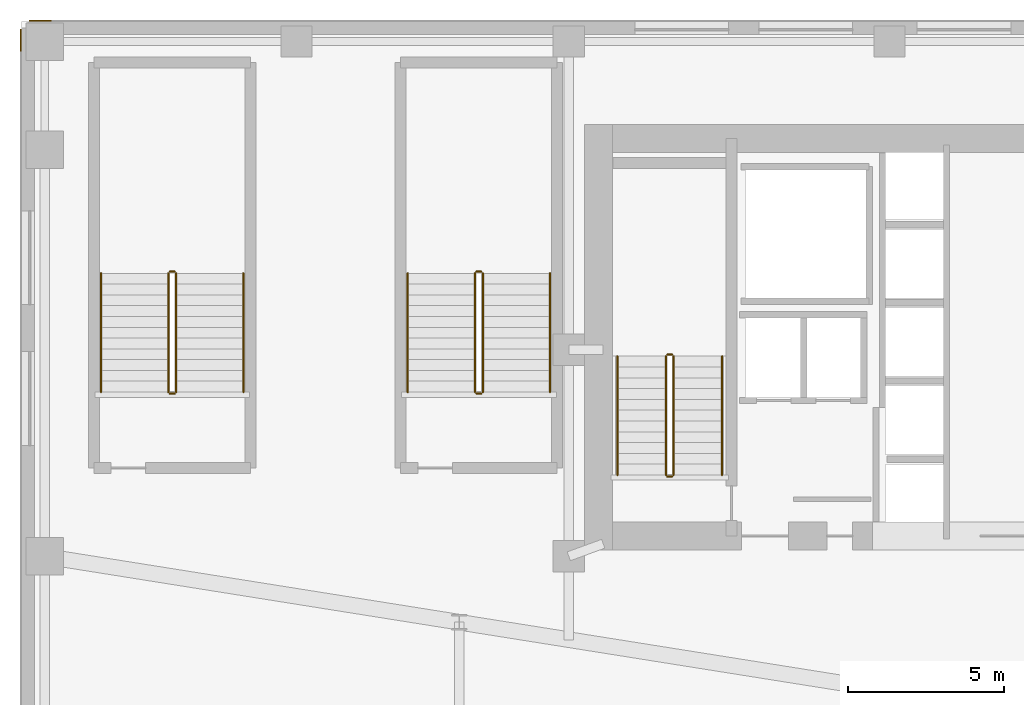
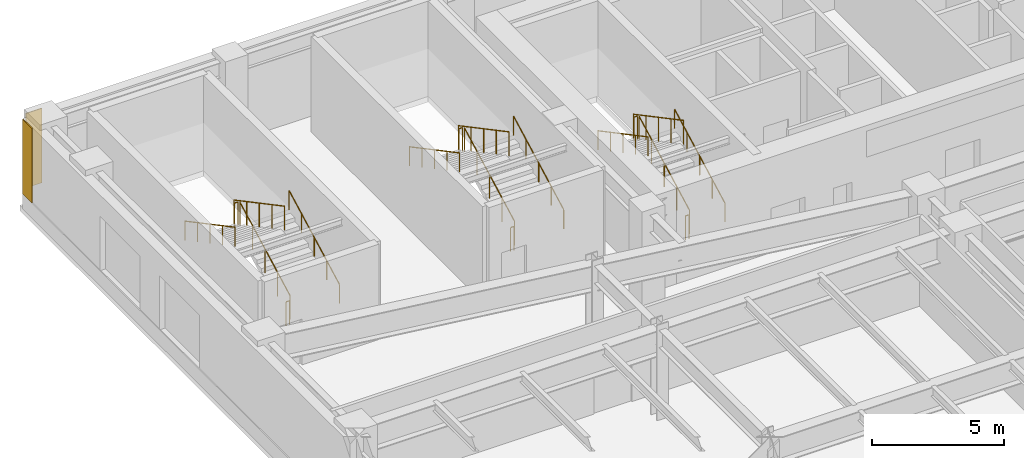
# One storey, part 24 of 27: 18 railings, 2 coverings.
"""IFC4 building model written with IfcOpenShell, lengths in metres."""

from ifc_helpers import new_model, si_unit, direction, frame, origin, origin_2d, place, context, subcontext, project, spatial, polyline, circle, outline, extrude, material, layer, layer_set, type_object, element, save


model = new_model("IFC4")

# Units and contexts
model_context = context("Model", 3, precision=1e-05, world=origin(), true_north=direction((0.0, 1.0)))
body_context = subcontext(model_context, "Body", "Model", "MODEL_VIEW")
ifc_project = project(units=[si_unit("LENGTHUNIT", "METRE"), si_unit("AREAUNIT", "SQUARE_METRE"), si_unit("VOLUMEUNIT", "CUBIC_METRE"), si_unit("PLANEANGLEUNIT", "RADIAN"), si_unit("MASSUNIT", "GRAM", prefix="KILO")], contexts=[model_context])

# Site, building, storey
site_placement = place(None, origin())
site = spatial("IfcSite", under=ifc_project, at=site_placement, CompositionType="ELEMENT")
building_placement = place(site_placement, origin())
building = spatial("IfcBuilding", under=site, at=building_placement, Name="Tolvann Quenvar Hotel", CompositionType="ELEMENT")
storey_placement = place(building_placement, frame((0.0, 0.0, 22.39990234375)))
storey = spatial("IfcBuildingStorey", under=building, at=storey_placement, Name="L04", CompositionType="ELEMENT", Elevation=22.39990234375)

# Coverings
ifc_material_1 = material(Name="Kiln-fired red architectural face brick cladding", Category="masonry")
ifc_layer = layer(ifc_material_1, 0.0400390625)
ifc_layer_set = layer_set([ifc_layer], Name="Kiln-fired red architectural face brick cladding")
covering_type = type_object("IfcCoveringType", Name="COV_CLAD_BRICK_40", PredefinedType="CLADDING", material=ifc_layer_set)
covering_1_placement = place(storey_placement, frame((0.0, 0.0, 0.7001953125)))
element("IfcCovering", 1, at=covering_1_placement, inside=storey, type_object=covering_type, Name="Brick Pier Cladding (L04-E02-P2)", PredefinedType="CLADDING", context=body_context, shape_type="SweptSolid", body=[
    extrude(outline(polyline([(-7.43994140625, 48.5), (-8.139892578125, 48.5), (-8.139892578125, 48.5400390625), (-7.43994140625, 48.5400390625), (-7.43994140625, 48.5)])), origin(), (0.0, 0.0, 1.0), 3.43994140625),
])
covering_2_placement = place(storey_placement, frame((0.0, 0.0, 0.7001953125)))
element("IfcCovering", 2, at=covering_2_placement, inside=storey, type_object=covering_type, Name="Brick Pier Cladding (L04-E03-P1)", PredefinedType="CLADDING", context=body_context, shape_type="SweptSolid", body=[
    extrude(outline(polyline([(-8.39990234375, 48.239990234375), (-8.39990234375, 47.5400390625), (-8.43994140625, 47.5400390625), (-8.43994140625, 48.239990234375), (-8.39990234375, 48.239990234375)])), origin(), (0.0, 0.0, 1.0), 3.43994140625),
])

# Railings
ifc_material_2 = material(Name="Brushed 316 stainless steel balustrade and handrail", Category="steel")
railing_type_1 = type_object("IfcRailingType", Name="GUARDRAIL", PredefinedType="GUARDRAIL", material=ifc_material_2)
railing_1_placement = place(storey_placement, frame((12.449951171875, 34.0, 0.183349609375)))
element("IfcRailing", 3, at=railing_1_placement, inside=storey, type_object=railing_type_1, Name="L04 ST-C1 stair guard 1", PredefinedType="GUARDRAIL", context=body_context, shape_type="SweptSolid", body=[
    extrude(circle(Radius=0.02392578125, at=origin_2d()), frame((0.0, 0.0, 1.09619140625), z_axis=(0.0, 0.883039212421, 0.469299210873), x_axis=(-1.0, 0.0, 0.0)), (0.0, 0.0, 1.0), 4.297607421875),
    extrude(circle(Radius=0.02099609375, at=origin_2d()), origin(), (0.0, 0.0, 1.0), 1.072021484375),
    extrude(circle(Radius=0.02099609375, at=origin_2d()), frame((0.0, 0.94873046875, 0.504150390625)), (0.0, 0.0, 1.0), 1.072021484375),
    extrude(circle(Radius=0.02099609375, at=origin_2d()), frame((0.0, 1.8974609375, 1.00830078125)), (0.0, 0.0, 1.0), 1.072021484375),
    extrude(circle(Radius=0.02099609375, at=origin_2d()), frame((0.0, 2.84619140625, 1.5126953125)), (0.0, 0.0, 1.0), 1.072021484375),
    extrude(circle(Radius=0.02099609375, at=origin_2d()), frame((0.0, 3.794921875, 2.016845703125)), (0.0, 0.0, 1.0), 1.072021484375),
])
railing_2_placement = place(storey_placement, frame((12.39990234375, 37.844970703125, 2.2001953125)))
element("IfcRailing", 4, at=railing_2_placement, inside=storey, type_object=railing_type_1, Name="L04 ST-C1 stair guard 2", PredefinedType="GUARDRAIL", context=body_context, shape_type="SweptSolid", body=[
    extrude(circle(Radius=0.02392578125, at=origin_2d()), frame((0.0, 0.0, 1.09619140625), z_axis=(-1.0, 0.0, 0.0), x_axis=(0.0, -1.0, 0.0)), (0.0, 0.0, 1.0), 0.14990234375),
    extrude(circle(Radius=0.02099609375, at=origin_2d()), origin(), (0.0, 0.0, 1.0), 1.072021484375),
    extrude(circle(Radius=0.02099609375, at=origin_2d()), frame((-0.14990234375, 0.0, 0.0)), (0.0, 0.0, 1.0), 1.072021484375),
])
railing_3_placement = place(storey_placement, frame((12.199951171875, 37.794921875, 2.383544921875)))
element("IfcRailing", 5, at=railing_3_placement, inside=storey, type_object=railing_type_1, Name="L04 ST-C1 stair guard 3", PredefinedType="GUARDRAIL", context=body_context, shape_type="SweptSolid", body=[
    extrude(circle(Radius=0.02392578125, at=origin_2d()), frame((0.0, 0.0, 1.09619140625), z_axis=(0.0, -0.883062754136, 0.469254911809), x_axis=(1.0, 0.0, 0.0)), (0.0, 0.0, 1.0), 4.29736328125),
    extrude(circle(Radius=0.02099609375, at=origin_2d()), origin(), (0.0, 0.0, 1.0), 1.072021484375),
    extrude(circle(Radius=0.02099609375, at=origin_2d()), frame((0.0, -0.94873046875, 0.504150390625)), (0.0, 0.0, 1.0), 1.072021484375),
    extrude(circle(Radius=0.02099609375, at=origin_2d()), frame((0.0, -1.8974609375, 1.00830078125)), (0.0, 0.0, 1.0), 1.072021484375),
    extrude(circle(Radius=0.02099609375, at=origin_2d()), frame((0.0, -2.84619140625, 1.512451171875)), (0.0, 0.0, 1.0), 1.072021484375),
    extrude(circle(Radius=0.02099609375, at=origin_2d()), frame((0.0, -3.794921875, 2.0166015625)), (0.0, 0.0, 1.0), 1.072021484375),
])
railing_4_placement = place(storey_placement, frame((12.39990234375, 33.949951171875, 0.0)))
element("IfcRailing", 6, at=railing_4_placement, inside=storey, type_object=railing_type_1, Name="L04 ST-C1 stair guard 4", PredefinedType="GUARDRAIL", context=body_context, shape_type="SweptSolid", body=[
    extrude(circle(Radius=0.02392578125, at=origin_2d()), frame((0.0, 0.0, 1.09619140625), z_axis=(-1.0, 0.0, 0.0), x_axis=(0.0, -1.0, 0.0)), (0.0, 0.0, 1.0), 0.14990234375),
    extrude(circle(Radius=0.02099609375, at=origin_2d()), origin(), (0.0, 0.0, 1.0), 1.072021484375),
    extrude(circle(Radius=0.02099609375, at=origin_2d()), frame((-0.14990234375, 0.0, 0.0)), (0.0, 0.0, 1.0), 1.072021484375),
])
railing_5_placement = place(storey_placement, frame((-3.449951171875, 36.64990234375, 0.183349609375)))
element("IfcRailing", 7, at=railing_5_placement, inside=storey, type_object=railing_type_1, Name="L04 ST-P1 stair guard 1", PredefinedType="GUARDRAIL", context=body_context, shape_type="SweptSolid", body=[
    extrude(circle(Radius=0.02392578125, at=origin_2d()), frame((0.0, 0.0, 1.09619140625), z_axis=(0.0, 0.883051723195, 0.469275669689), x_axis=(-1.0, 0.0, 0.0)), (0.0, 0.0, 1.0), 4.2978515625),
    extrude(circle(Radius=0.02099609375, at=origin_2d()), origin(), (0.0, 0.0, 1.0), 1.072021484375),
    extrude(circle(Radius=0.02099609375, at=origin_2d()), frame((0.0, 0.94873046875, 0.504150390625)), (0.0, 0.0, 1.0), 1.072021484375),
    extrude(circle(Radius=0.02099609375, at=origin_2d()), frame((0.0, 1.8974609375, 1.00830078125)), (0.0, 0.0, 1.0), 1.072021484375),
    extrude(circle(Radius=0.02099609375, at=origin_2d()), frame((0.0, 2.846435546875, 1.5126953125)), (0.0, 0.0, 1.0), 1.072021484375),
    extrude(circle(Radius=0.02099609375, at=origin_2d()), frame((0.0, 3.795166015625, 2.016845703125)), (0.0, 0.0, 1.0), 1.072021484375),
])
railing_6_placement = place(storey_placement, frame((-3.5, 40.4951171875, 2.2001953125)))
element("IfcRailing", 8, at=railing_6_placement, inside=storey, type_object=railing_type_1, Name="L04 ST-P1 stair guard 2", PredefinedType="GUARDRAIL", context=body_context, shape_type="SweptSolid", body=[
    extrude(circle(Radius=0.02392578125, at=origin_2d()), frame((0.0, 0.0, 1.09619140625), z_axis=(-1.0, 0.0, 0.0), x_axis=(0.0, -1.0, 0.0)), (0.0, 0.0, 1.0), 0.14990234375),
    extrude(circle(Radius=0.02099609375, at=origin_2d()), origin(), (0.0, 0.0, 1.0), 1.072021484375),
    extrude(circle(Radius=0.02099609375, at=origin_2d()), frame((-0.14990234375, 0.0, 0.0)), (0.0, 0.0, 1.0), 1.072021484375),
])
railing_7_placement = place(storey_placement, frame((-3.699951171875, 40.445068359375, 2.383544921875)))
element("IfcRailing", 9, at=railing_7_placement, inside=storey, type_object=railing_type_1, Name="L04 ST-P1 stair guard 3", PredefinedType="GUARDRAIL", context=body_context, shape_type="SweptSolid", body=[
    extrude(circle(Radius=0.02392578125, at=origin_2d()), frame((0.0, 0.0, 1.09619140625), z_axis=(0.0, -0.883075262882, 0.469231371592), x_axis=(1.0, 0.0, 0.0)), (0.0, 0.0, 1.0), 4.297607421875),
    extrude(circle(Radius=0.02099609375, at=origin_2d()), origin(), (0.0, 0.0, 1.0), 1.072021484375),
    extrude(circle(Radius=0.02099609375, at=origin_2d()), frame((0.0, -0.94873046875, 0.504150390625)), (0.0, 0.0, 1.0), 1.072021484375),
    extrude(circle(Radius=0.02099609375, at=origin_2d()), frame((0.0, -1.8974609375, 1.00830078125)), (0.0, 0.0, 1.0), 1.072021484375),
    extrude(circle(Radius=0.02099609375, at=origin_2d()), frame((0.0, -2.846435546875, 1.512451171875)), (0.0, 0.0, 1.0), 1.072021484375),
    extrude(circle(Radius=0.02099609375, at=origin_2d()), frame((0.0, -3.795166015625, 2.0166015625)), (0.0, 0.0, 1.0), 1.072021484375),
])
railing_8_placement = place(storey_placement, frame((-3.5, 36.60009765625, 0.0)))
element("IfcRailing", 10, at=railing_8_placement, inside=storey, type_object=railing_type_1, Name="L04 ST-P1 stair guard 4", PredefinedType="GUARDRAIL", context=body_context, shape_type="SweptSolid", body=[
    extrude(circle(Radius=0.02392578125, at=origin_2d()), frame((0.0, 0.0, 1.09619140625), z_axis=(-1.0, 0.0, 0.0), x_axis=(0.0, -1.0, 0.0)), (0.0, 0.0, 1.0), 0.14990234375),
    extrude(circle(Radius=0.02099609375, at=origin_2d()), origin(), (0.0, 0.0, 1.0), 1.072021484375),
    extrude(circle(Radius=0.02099609375, at=origin_2d()), frame((-0.14990234375, 0.0, 0.0)), (0.0, 0.0, 1.0), 1.072021484375),
])
railing_9_placement = place(storey_placement, frame((6.35009765625, 36.64990234375, 0.183349609375)))
element("IfcRailing", 11, at=railing_9_placement, inside=storey, type_object=railing_type_1, Name="L04 ST-P2 stair guard 1", PredefinedType="GUARDRAIL", context=body_context, shape_type="SweptSolid", body=[
    extrude(circle(Radius=0.02392578125, at=origin_2d()), frame((0.0, 0.0, 1.09619140625), z_axis=(0.0, 0.883051723195, 0.469275669689), x_axis=(-1.0, 0.0, 0.0)), (0.0, 0.0, 1.0), 4.2978515625),
    extrude(circle(Radius=0.02099609375, at=origin_2d()), origin(), (0.0, 0.0, 1.0), 1.072021484375),
    extrude(circle(Radius=0.02099609375, at=origin_2d()), frame((0.0, 0.94873046875, 0.504150390625)), (0.0, 0.0, 1.0), 1.072021484375),
    extrude(circle(Radius=0.02099609375, at=origin_2d()), frame((0.0, 1.8974609375, 1.00830078125)), (0.0, 0.0, 1.0), 1.072021484375),
    extrude(circle(Radius=0.02099609375, at=origin_2d()), frame((0.0, 2.846435546875, 1.5126953125)), (0.0, 0.0, 1.0), 1.072021484375),
    extrude(circle(Radius=0.02099609375, at=origin_2d()), frame((0.0, 3.795166015625, 2.016845703125)), (0.0, 0.0, 1.0), 1.072021484375),
])
railing_10_placement = place(storey_placement, frame((6.300048828125, 40.4951171875, 2.2001953125)))
element("IfcRailing", 12, at=railing_10_placement, inside=storey, type_object=railing_type_1, Name="L04 ST-P2 stair guard 2", PredefinedType="GUARDRAIL", context=body_context, shape_type="SweptSolid", body=[
    extrude(circle(Radius=0.02392578125, at=origin_2d()), frame((0.0, 0.0, 1.09619140625), z_axis=(-1.0, 0.0, 0.0), x_axis=(0.0, -1.0, 0.0)), (0.0, 0.0, 1.0), 0.150146484375),
    extrude(circle(Radius=0.02099609375, at=origin_2d()), origin(), (0.0, 0.0, 1.0), 1.072021484375),
    extrude(circle(Radius=0.02099609375, at=origin_2d()), frame((-0.150146484375, 0.0, 0.0)), (0.0, 0.0, 1.0), 1.072021484375),
])
railing_11_placement = place(storey_placement, frame((6.10009765625, 40.445068359375, 2.383544921875)))
element("IfcRailing", 13, at=railing_11_placement, inside=storey, type_object=railing_type_1, Name="L04 ST-P2 stair guard 3", PredefinedType="GUARDRAIL", context=body_context, shape_type="SweptSolid", body=[
    extrude(circle(Radius=0.02392578125, at=origin_2d()), frame((0.0, 0.0, 1.09619140625), z_axis=(0.0, -0.883075262882, 0.469231371592), x_axis=(1.0, 0.0, 0.0)), (0.0, 0.0, 1.0), 4.297607421875),
    extrude(circle(Radius=0.02099609375, at=origin_2d()), origin(), (0.0, 0.0, 1.0), 1.072021484375),
    extrude(circle(Radius=0.02099609375, at=origin_2d()), frame((0.0, -0.94873046875, 0.504150390625)), (0.0, 0.0, 1.0), 1.072021484375),
    extrude(circle(Radius=0.02099609375, at=origin_2d()), frame((0.0, -1.8974609375, 1.00830078125)), (0.0, 0.0, 1.0), 1.072021484375),
    extrude(circle(Radius=0.02099609375, at=origin_2d()), frame((0.0, -2.846435546875, 1.512451171875)), (0.0, 0.0, 1.0), 1.072021484375),
    extrude(circle(Radius=0.02099609375, at=origin_2d()), frame((0.0, -3.795166015625, 2.0166015625)), (0.0, 0.0, 1.0), 1.072021484375),
])
railing_12_placement = place(storey_placement, frame((6.300048828125, 36.60009765625, 0.0)))
element("IfcRailing", 14, at=railing_12_placement, inside=storey, type_object=railing_type_1, Name="L04 ST-P2 stair guard 4", PredefinedType="GUARDRAIL", context=body_context, shape_type="SweptSolid", body=[
    extrude(circle(Radius=0.02392578125, at=origin_2d()), frame((0.0, 0.0, 1.09619140625), z_axis=(-1.0, 0.0, 0.0), x_axis=(0.0, -1.0, 0.0)), (0.0, 0.0, 1.0), 0.150146484375),
    extrude(circle(Radius=0.02099609375, at=origin_2d()), origin(), (0.0, 0.0, 1.0), 1.072021484375),
    extrude(circle(Radius=0.02099609375, at=origin_2d()), frame((-0.150146484375, 0.0, 0.0)), (0.0, 0.0, 1.0), 1.072021484375),
])
railing_type_2 = type_object("IfcRailingType", Name="HANDRAIL", PredefinedType="HANDRAIL", material=ifc_material_2)
railing_13_placement = place(storey_placement, frame((14.0, 34.0, 0.183349609375)))
element("IfcRailing", 15, at=railing_13_placement, inside=storey, type_object=railing_type_2, Name="L04 ST-C1 stair handrail 1", PredefinedType="HANDRAIL", context=body_context, shape_type="SweptSolid", body=[
    extrude(circle(Radius=0.02392578125, at=origin_2d()), frame((0.0, 0.0, 0.8759765625), z_axis=(0.0, 0.883039212421, 0.469299210873), x_axis=(-1.0, 0.0, 0.0)), (0.0, 0.0, 1.0), 4.297607421875),
    extrude(circle(Radius=0.02099609375, at=origin_2d()), origin(), (0.0, 0.0, 1.0), 0.851806640625),
    extrude(circle(Radius=0.02099609375, at=origin_2d()), frame((0.0, 0.94873046875, 0.504150390625)), (0.0, 0.0, 1.0), 0.851806640625),
    extrude(circle(Radius=0.02099609375, at=origin_2d()), frame((0.0, 1.8974609375, 1.00830078125)), (0.0, 0.0, 1.0), 0.851806640625),
    extrude(circle(Radius=0.02099609375, at=origin_2d()), frame((0.0, 2.84619140625, 1.5126953125)), (0.0, 0.0, 1.0), 0.851806640625),
    extrude(circle(Radius=0.02099609375, at=origin_2d()), frame((0.0, 3.794921875, 2.016845703125)), (0.0, 0.0, 1.0), 0.851806640625),
])
railing_14_placement = place(storey_placement, frame((10.64990234375, 37.794921875, 2.383544921875)))
element("IfcRailing", 16, at=railing_14_placement, inside=storey, type_object=railing_type_2, Name="L04 ST-C1 stair handrail 2", PredefinedType="HANDRAIL", context=body_context, shape_type="SweptSolid", body=[
    extrude(circle(Radius=0.02392578125, at=origin_2d()), frame((0.0, 0.0, 0.8759765625), z_axis=(0.0, -0.883062754136, 0.469254911809), x_axis=(1.0, 0.0, 0.0)), (0.0, 0.0, 1.0), 4.29736328125),
    extrude(circle(Radius=0.02099609375, at=origin_2d()), origin(), (0.0, 0.0, 1.0), 0.851806640625),
    extrude(circle(Radius=0.02099609375, at=origin_2d()), frame((0.0, -0.94873046875, 0.504150390625)), (0.0, 0.0, 1.0), 0.851806640625),
    extrude(circle(Radius=0.02099609375, at=origin_2d()), frame((0.0, -1.8974609375, 1.00830078125)), (0.0, 0.0, 1.0), 0.851806640625),
    extrude(circle(Radius=0.02099609375, at=origin_2d()), frame((0.0, -2.84619140625, 1.512451171875)), (0.0, 0.0, 1.0), 0.851806640625),
    extrude(circle(Radius=0.02099609375, at=origin_2d()), frame((0.0, -3.794921875, 2.0166015625)), (0.0, 0.0, 1.0), 0.851806640625),
])
railing_15_placement = place(storey_placement, frame((-1.300048828125, 36.64990234375, 0.183349609375)))
element("IfcRailing", 17, at=railing_15_placement, inside=storey, type_object=railing_type_2, Name="L04 ST-P1 stair handrail 1", PredefinedType="HANDRAIL", context=body_context, shape_type="SweptSolid", body=[
    extrude(circle(Radius=0.02392578125, at=origin_2d()), frame((0.0, 0.0, 0.8759765625), z_axis=(0.0, 0.883051723195, 0.469275669689), x_axis=(-1.0, 0.0, 0.0)), (0.0, 0.0, 1.0), 4.2978515625),
    extrude(circle(Radius=0.02099609375, at=origin_2d()), origin(), (0.0, 0.0, 1.0), 0.851806640625),
    extrude(circle(Radius=0.02099609375, at=origin_2d()), frame((0.0, 0.94873046875, 0.504150390625)), (0.0, 0.0, 1.0), 0.851806640625),
    extrude(circle(Radius=0.02099609375, at=origin_2d()), frame((0.0, 1.8974609375, 1.00830078125)), (0.0, 0.0, 1.0), 0.851806640625),
    extrude(circle(Radius=0.02099609375, at=origin_2d()), frame((0.0, 2.846435546875, 1.5126953125)), (0.0, 0.0, 1.0), 0.851806640625),
    extrude(circle(Radius=0.02099609375, at=origin_2d()), frame((0.0, 3.795166015625, 2.016845703125)), (0.0, 0.0, 1.0), 0.851806640625),
])
railing_16_placement = place(storey_placement, frame((-5.85009765625, 40.445068359375, 2.383544921875)))
element("IfcRailing", 18, at=railing_16_placement, inside=storey, type_object=railing_type_2, Name="L04 ST-P1 stair handrail 2", PredefinedType="HANDRAIL", context=body_context, shape_type="SweptSolid", body=[
    extrude(circle(Radius=0.02392578125, at=origin_2d()), frame((0.0, 0.0, 0.8759765625), z_axis=(0.0, -0.883075262882, 0.469231371592), x_axis=(1.0, 0.0, 0.0)), (0.0, 0.0, 1.0), 4.297607421875),
    extrude(circle(Radius=0.02099609375, at=origin_2d()), origin(), (0.0, 0.0, 1.0), 0.851806640625),
    extrude(circle(Radius=0.02099609375, at=origin_2d()), frame((0.0, -0.94873046875, 0.504150390625)), (0.0, 0.0, 1.0), 0.851806640625),
    extrude(circle(Radius=0.02099609375, at=origin_2d()), frame((0.0, -1.8974609375, 1.00830078125)), (0.0, 0.0, 1.0), 0.851806640625),
    extrude(circle(Radius=0.02099609375, at=origin_2d()), frame((0.0, -2.846435546875, 1.512451171875)), (0.0, 0.0, 1.0), 0.851806640625),
    extrude(circle(Radius=0.02099609375, at=origin_2d()), frame((0.0, -3.795166015625, 2.0166015625)), (0.0, 0.0, 1.0), 0.851806640625),
])
railing_17_placement = place(storey_placement, frame((8.5, 36.64990234375, 0.183349609375)))
element("IfcRailing", 19, at=railing_17_placement, inside=storey, type_object=railing_type_2, Name="L04 ST-P2 stair handrail 1", PredefinedType="HANDRAIL", context=body_context, shape_type="SweptSolid", body=[
    extrude(circle(Radius=0.02392578125, at=origin_2d()), frame((0.0, 0.0, 0.8759765625), z_axis=(0.0, 0.883051723195, 0.469275669689), x_axis=(-1.0, 0.0, 0.0)), (0.0, 0.0, 1.0), 4.2978515625),
    extrude(circle(Radius=0.02099609375, at=origin_2d()), origin(), (0.0, 0.0, 1.0), 0.851806640625),
    extrude(circle(Radius=0.02099609375, at=origin_2d()), frame((0.0, 0.94873046875, 0.504150390625)), (0.0, 0.0, 1.0), 0.851806640625),
    extrude(circle(Radius=0.02099609375, at=origin_2d()), frame((0.0, 1.8974609375, 1.00830078125)), (0.0, 0.0, 1.0), 0.851806640625),
    extrude(circle(Radius=0.02099609375, at=origin_2d()), frame((0.0, 2.846435546875, 1.5126953125)), (0.0, 0.0, 1.0), 0.851806640625),
    extrude(circle(Radius=0.02099609375, at=origin_2d()), frame((0.0, 3.795166015625, 2.016845703125)), (0.0, 0.0, 1.0), 0.851806640625),
])
railing_18_placement = place(storey_placement, frame((3.949951171875, 40.445068359375, 2.383544921875)))
element("IfcRailing", 20, at=railing_18_placement, inside=storey, type_object=railing_type_2, Name="L04 ST-P2 stair handrail 2", PredefinedType="HANDRAIL", context=body_context, shape_type="SweptSolid", body=[
    extrude(circle(Radius=0.02392578125, at=origin_2d()), frame((0.0, 0.0, 0.8759765625), z_axis=(0.0, -0.883075262882, 0.469231371592), x_axis=(1.0, 0.0, 0.0)), (0.0, 0.0, 1.0), 4.297607421875),
    extrude(circle(Radius=0.02099609375, at=origin_2d()), origin(), (0.0, 0.0, 1.0), 0.851806640625),
    extrude(circle(Radius=0.02099609375, at=origin_2d()), frame((0.0, -0.94873046875, 0.504150390625)), (0.0, 0.0, 1.0), 0.851806640625),
    extrude(circle(Radius=0.02099609375, at=origin_2d()), frame((0.0, -1.8974609375, 1.00830078125)), (0.0, 0.0, 1.0), 0.851806640625),
    extrude(circle(Radius=0.02099609375, at=origin_2d()), frame((0.0, -2.846435546875, 1.512451171875)), (0.0, 0.0, 1.0), 0.851806640625),
    extrude(circle(Radius=0.02099609375, at=origin_2d()), frame((0.0, -3.795166015625, 2.0166015625)), (0.0, 0.0, 1.0), 0.851806640625),
])

save(model, "model.ifc")
